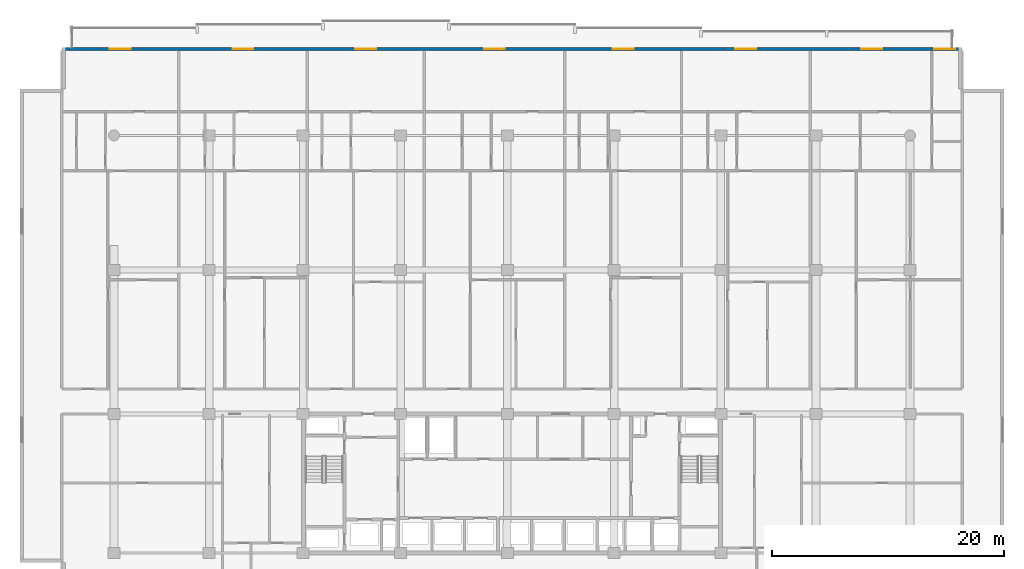
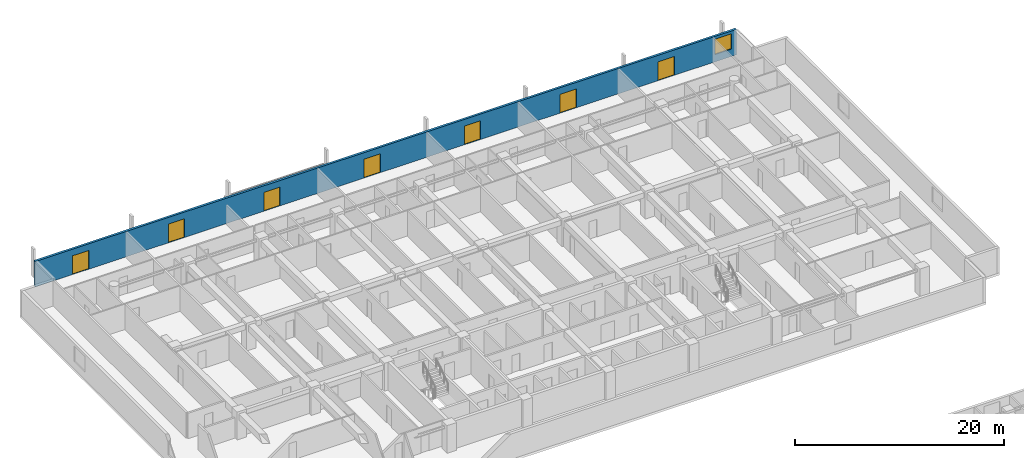
# One storey, part 16 of 23: 7 doors, 1 wall, 1 window, 8 openings.
"""IFC4 building model written with IfcOpenShell, lengths in metres."""

from ifc_helpers import new_model, si_unit, direction, frame, frame_2d, origin, place, context, subcontext, project, spatial, rectangle, extrude, material, layer, layer_set, type_object, element, fill, save


model = new_model("IFC4")

# Units and contexts
model_context = context("Model", 3, precision=1e-05, world=origin(), true_north=direction((0.0, 1.0)))
body_context = subcontext(model_context, "Body", "Model", "MODEL_VIEW")
ifc_project = project(units=[si_unit("LENGTHUNIT", "METRE"), si_unit("AREAUNIT", "SQUARE_METRE"), si_unit("VOLUMEUNIT", "CUBIC_METRE"), si_unit("PLANEANGLEUNIT", "RADIAN"), si_unit("MASSUNIT", "GRAM", prefix="KILO")], contexts=[model_context])

# Site, building, storey
site_placement = place(None, origin())
site = spatial("IfcSite", under=ifc_project, at=site_placement, CompositionType="ELEMENT")
building_placement = place(site_placement, origin())
building = spatial("IfcBuilding", under=site, at=building_placement, Name="Korimba Cascade Residences", CompositionType="ELEMENT")
storey_placement = place(building_placement, frame((0.0, 0.0, 27.25)))
storey = spatial("IfcBuildingStorey", under=building, at=storey_placement, Name="L06", CompositionType="ELEMENT", Elevation=27.25)

# Wall, openings, doors, window
ifc_material_1 = material(Name="Precast concrete C40/50", Category="concrete")
ifc_layer = layer(ifc_material_1, 0.25)
ifc_layer_set = layer_set([ifc_layer], Name="Precast concrete C40/50")
wall_type = type_object("IfcWallType", Name="EW-LOG-250", PredefinedType="STANDARD", material=ifc_layer_set)
wall_placement = place(storey_placement, frame((132.89990234375, 98.64990234375, 0.0), z_axis=(0.0, 0.0, 1.0), x_axis=(-1.0, 0.0, 0.0)))
wall = element("IfcWall", 1, at=wall_placement, inside=storey, type_object=wall_type, Name="L06 T1 Perimeter Stone Wall E06", PredefinedType="STANDARD", context=body_context, shape_type="SweptSolid", body=[
    extrude(rectangle(XDim=77.599853515625, YDim=0.25, at=frame_2d((38.7998046875, 0.0))), origin(), (0.0, 0.0, 1.0), 2.969970703125),
])
opening_1_placement = place(wall_placement, frame((71.660888671875, 0.0, 0.0)))
opening_1 = element("IfcOpeningElement", 2, at=opening_1_placement, cuts=wall, Name="Opening D-LG1", PredefinedType="OPENING", context=body_context, shape_type="SweptSolid", body=[
    extrude(rectangle(XDim=1.800048828125, YDim=2.199951171875, at=frame_2d((0.89990234375, 1.10009765625))), frame((0.0, 0.135009765625, 0.0), z_axis=(0.0, -1.0, 0.0), x_axis=(1.0, 0.0, 0.0)), (0.0, 0.0, 1.0), 0.27001953125),
])
opening_2_placement = place(wall_placement, frame((61.079345703125, 0.0, 0.0)))
opening_2 = element("IfcOpeningElement", 3, at=opening_2_placement, cuts=wall, Name="Opening D-LG1", PredefinedType="OPENING", context=body_context, shape_type="SweptSolid", body=[
    extrude(rectangle(XDim=1.800048828125, YDim=2.199951171875, at=frame_2d((0.89990234375, 1.10009765625))), frame((0.0, 0.135009765625, 0.0), z_axis=(0.0, -1.0, 0.0), x_axis=(1.0, 0.0, 0.0)), (0.0, 0.0, 1.0), 0.27001953125),
])
opening_3_placement = place(wall_placement, frame((50.49755859375, 0.0, 0.0)))
opening_3 = element("IfcOpeningElement", 4, at=opening_3_placement, cuts=wall, Name="Opening D-LG1", PredefinedType="OPENING", context=body_context, shape_type="SweptSolid", body=[
    extrude(rectangle(XDim=1.800048828125, YDim=2.199951171875, at=frame_2d((0.89990234375, 1.10009765625))), frame((0.0, 0.135009765625, 0.0), z_axis=(0.0, -1.0, 0.0), x_axis=(1.0, 0.0, 0.0)), (0.0, 0.0, 1.0), 0.27001953125),
])
opening_4_placement = place(wall_placement, frame((39.41162109375, 0.0, 0.0)))
opening_4 = element("IfcOpeningElement", 5, at=opening_4_placement, cuts=wall, Name="Opening D-LG1", PredefinedType="OPENING", context=body_context, shape_type="SweptSolid", body=[
    extrude(rectangle(XDim=1.800048828125, YDim=2.199951171875, at=frame_2d((0.89990234375, 1.10009765625))), frame((0.0, 0.135009765625, 0.0), z_axis=(0.0, -1.0, 0.0), x_axis=(1.0, 0.0, 0.0)), (0.0, 0.0, 1.0), 0.27001953125),
])
opening_5_placement = place(wall_placement, frame((28.326171875, 0.0, 0.0)))
opening_5 = element("IfcOpeningElement", 6, at=opening_5_placement, cuts=wall, Name="Opening D-LG1", PredefinedType="OPENING", context=body_context, shape_type="SweptSolid", body=[
    extrude(rectangle(XDim=1.800048828125, YDim=2.199951171875, at=frame_2d((0.89990234375, 1.10009765625))), frame((0.0, 0.135009765625, 0.0), z_axis=(0.0, -1.0, 0.0), x_axis=(1.0, 0.0, 0.0)), (0.0, 0.0, 1.0), 0.27001953125),
])
opening_6_placement = place(wall_placement, frame((17.744140625, 0.0, 0.0)))
opening_6 = element("IfcOpeningElement", 7, at=opening_6_placement, cuts=wall, Name="Opening D-LG1", PredefinedType="OPENING", context=body_context, shape_type="SweptSolid", body=[
    extrude(rectangle(XDim=1.800048828125, YDim=2.199951171875, at=frame_2d((0.89990234375, 1.10009765625))), frame((0.0, 0.135009765625, 0.0), z_axis=(0.0, -1.0, 0.0), x_axis=(1.0, 0.0, 0.0)), (0.0, 0.0, 1.0), 0.27001953125),
])
opening_7_placement = place(wall_placement, frame((6.900634765625, 0.0, 0.0)))
opening_7 = element("IfcOpeningElement", 8, at=opening_7_placement, cuts=wall, Name="Opening D-LG1", PredefinedType="OPENING", context=body_context, shape_type="SweptSolid", body=[
    extrude(rectangle(XDim=1.800048828125, YDim=2.199951171875, at=frame_2d((0.89990234375, 1.10009765625))), frame((0.0, 0.135009765625, 0.0), z_axis=(0.0, -1.0, 0.0), x_axis=(1.0, 0.0, 0.0)), (0.0, 0.0, 1.0), 0.27001953125),
])
opening_8_placement = place(wall_placement, frame((0.60009765625, 0.0, 0.85009765625)))
opening_8 = element("IfcOpeningElement", 9, at=opening_8_placement, cuts=wall, Name="Opening W-02", PredefinedType="OPENING", context=body_context, shape_type="SweptSolid", body=[
    extrude(rectangle(XDim=1.800048828125, YDim=1.800048828125, at=frame_2d((0.89990234375, 0.89990234375))), frame((0.0, 0.135009765625, 0.0), z_axis=(0.0, -1.0, 0.0), x_axis=(1.0, 0.0, 0.0)), (0.0, 0.0, 1.0), 0.27001953125),
])
ifc_material_2 = material(Name="Glazed Aluminium Loggia Sliding Door", Category="aluminium")
door_type = type_object("IfcDoorType", Name="DR-EXT-LOG", OperationType="NOTDEFINED", PredefinedType="DOOR", material=ifc_material_2)
door_1_placement = place(opening_1_placement, origin())
door_1 = element("IfcDoor", 10, at=door_1_placement, inside=storey, type_object=door_type, Name="L06 T1 Loggia Sliding Door 3", OperationType="SLIDING_TO_LEFT", OverallHeight=2.199951171875, OverallWidth=1.800048828125, PredefinedType="DOOR", context=body_context, shape_type="SweptSolid", body=[
    extrude(rectangle(XDim=1.800048828125, YDim=2.199951171875, at=frame_2d((0.89990234375, 1.10009765625))), frame((0.0, 0.02490234375, 0.0), z_axis=(0.0, -1.0, 0.0), x_axis=(1.0, 0.0, 0.0)), (0.0, 0.0, 1.0), 0.050048828125),
])
fill(opening_1, door_1)
door_2_placement = place(opening_2_placement, origin())
door_2 = element("IfcDoor", 11, at=door_2_placement, inside=storey, type_object=door_type, Name="L06 T1 Loggia Sliding Door 4", OperationType="SLIDING_TO_LEFT", OverallHeight=2.199951171875, OverallWidth=1.800048828125, PredefinedType="DOOR", context=body_context, shape_type="SweptSolid", body=[
    extrude(rectangle(XDim=1.800048828125, YDim=2.199951171875, at=frame_2d((0.89990234375, 1.10009765625))), frame((0.0, 0.02490234375, 0.0), z_axis=(0.0, -1.0, 0.0), x_axis=(1.0, 0.0, 0.0)), (0.0, 0.0, 1.0), 0.050048828125),
])
fill(opening_2, door_2)
door_3_placement = place(opening_3_placement, origin())
door_3 = element("IfcDoor", 12, at=door_3_placement, inside=storey, type_object=door_type, Name="L06 T1 Loggia Sliding Door 5", OperationType="SLIDING_TO_LEFT", OverallHeight=2.199951171875, OverallWidth=1.800048828125, PredefinedType="DOOR", context=body_context, shape_type="SweptSolid", body=[
    extrude(rectangle(XDim=1.800048828125, YDim=2.199951171875, at=frame_2d((0.89990234375, 1.10009765625))), frame((0.0, 0.02490234375, 0.0), z_axis=(0.0, -1.0, 0.0), x_axis=(1.0, 0.0, 0.0)), (0.0, 0.0, 1.0), 0.050048828125),
])
fill(opening_3, door_3)
door_4_placement = place(opening_4_placement, origin())
door_4 = element("IfcDoor", 13, at=door_4_placement, inside=storey, type_object=door_type, Name="L06 T1 Loggia Sliding Door 6", OperationType="SLIDING_TO_LEFT", OverallHeight=2.199951171875, OverallWidth=1.800048828125, PredefinedType="DOOR", context=body_context, shape_type="SweptSolid", body=[
    extrude(rectangle(XDim=1.800048828125, YDim=2.199951171875, at=frame_2d((0.89990234375, 1.10009765625))), frame((0.0, 0.02490234375, 0.0), z_axis=(0.0, -1.0, 0.0), x_axis=(1.0, 0.0, 0.0)), (0.0, 0.0, 1.0), 0.050048828125),
])
fill(opening_4, door_4)
door_5_placement = place(opening_5_placement, origin())
door_5 = element("IfcDoor", 14, at=door_5_placement, inside=storey, type_object=door_type, Name="L06 T1 Loggia Sliding Door 7", OperationType="SLIDING_TO_LEFT", OverallHeight=2.199951171875, OverallWidth=1.800048828125, PredefinedType="DOOR", context=body_context, shape_type="SweptSolid", body=[
    extrude(rectangle(XDim=1.800048828125, YDim=2.199951171875, at=frame_2d((0.89990234375, 1.10009765625))), frame((0.0, 0.02490234375, 0.0), z_axis=(0.0, -1.0, 0.0), x_axis=(1.0, 0.0, 0.0)), (0.0, 0.0, 1.0), 0.050048828125),
])
fill(opening_5, door_5)
door_6_placement = place(opening_6_placement, origin())
door_6 = element("IfcDoor", 15, at=door_6_placement, inside=storey, type_object=door_type, Name="L06 T1 Loggia Sliding Door 8", OperationType="SLIDING_TO_LEFT", OverallHeight=2.199951171875, OverallWidth=1.800048828125, PredefinedType="DOOR", context=body_context, shape_type="SweptSolid", body=[
    extrude(rectangle(XDim=1.800048828125, YDim=2.199951171875, at=frame_2d((0.89990234375, 1.10009765625))), frame((0.0, 0.02490234375, 0.0), z_axis=(0.0, -1.0, 0.0), x_axis=(1.0, 0.0, 0.0)), (0.0, 0.0, 1.0), 0.050048828125),
])
fill(opening_6, door_6)
door_7_placement = place(opening_7_placement, origin())
door_7 = element("IfcDoor", 16, at=door_7_placement, inside=storey, type_object=door_type, Name="L06 T1 Loggia Sliding Door 9", OperationType="SLIDING_TO_LEFT", OverallHeight=2.199951171875, OverallWidth=1.800048828125, PredefinedType="DOOR", context=body_context, shape_type="SweptSolid", body=[
    extrude(rectangle(XDim=1.800048828125, YDim=2.199951171875, at=frame_2d((0.89990234375, 1.10009765625))), frame((0.0, 0.02490234375, 0.0), z_axis=(0.0, -1.0, 0.0), x_axis=(1.0, 0.0, 0.0)), (0.0, 0.0, 1.0), 0.050048828125),
])
fill(opening_7, door_7)
ifc_material_3 = material(Name="Double-Glazed Aluminium Window", Category="aluminium")
window_type = type_object("IfcWindowType", Name="WIN-BED-1800", PartitioningType="SINGLE_PANEL", PredefinedType="WINDOW", material=ifc_material_3)
window_placement = place(opening_8_placement, origin())
window = element("IfcWindow", 17, at=window_placement, inside=storey, type_object=window_type, Name="L06 T1 North Facade Window 10", OverallHeight=1.800048828125, OverallWidth=1.800048828125, PartitioningType="SINGLE_PANEL", PredefinedType="WINDOW", context=body_context, shape_type="SweptSolid", body=[
    extrude(rectangle(XDim=1.800048828125, YDim=1.800048828125, at=frame_2d((0.89990234375, 0.89990234375))), frame((0.0, 0.030029296875, 0.0), z_axis=(0.0, -1.0, 0.0), x_axis=(1.0, 0.0, 0.0)), (0.0, 0.0, 1.0), 0.06005859375),
])
fill(opening_8, window)

save(model, "model.ifc")
